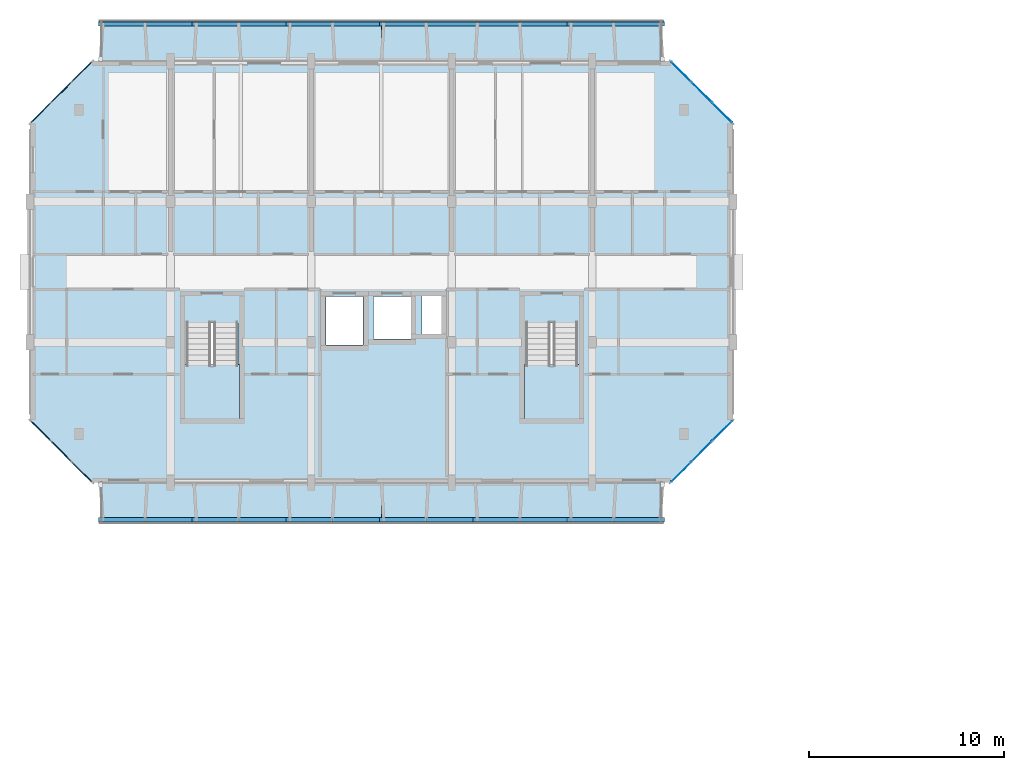
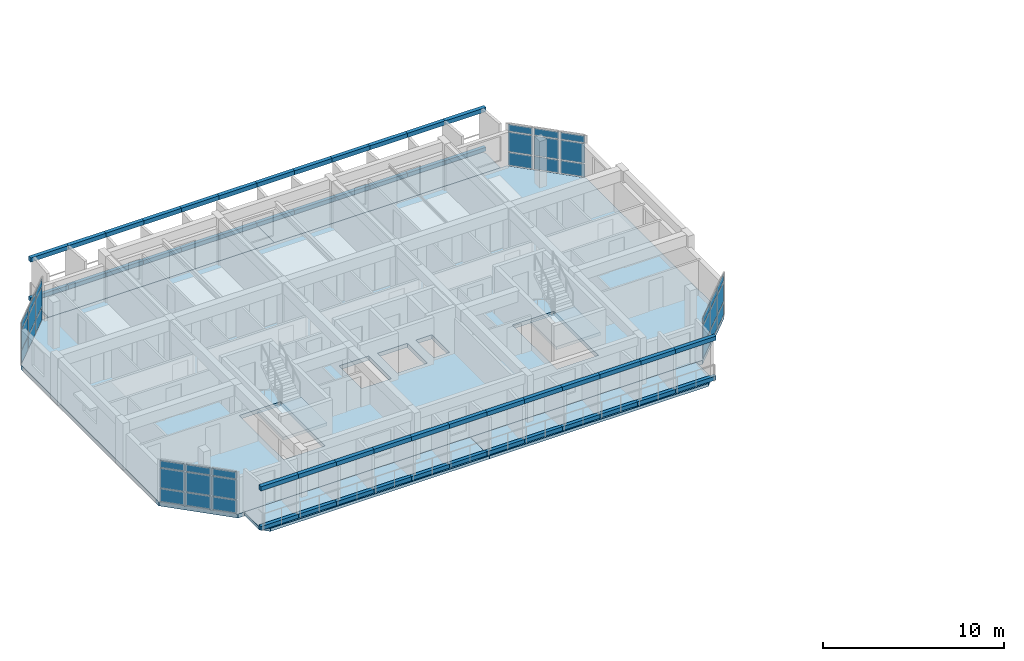
# One storey, part 12 of 45: 84 plates, 7 slabs, 6 elements without a shape of their own.
"""IFC4 building model written with IfcOpenShell, lengths in metres."""

from ifc_helpers import new_model, si_unit, direction, frame, origin, origin_2d, place, context, subcontext, project, spatial, polyline, rectangle, outline, extrude, material, layer, layer_set, type_object, element, aggregate, save


model = new_model("IFC4")

# Units and contexts
model_context = context("Model", 3, precision=1e-05, world=origin(), true_north=direction((0.0, 1.0)))
body_context = subcontext(model_context, "Body", "Model", "MODEL_VIEW")
ifc_project = project(units=[si_unit("LENGTHUNIT", "METRE"), si_unit("AREAUNIT", "SQUARE_METRE"), si_unit("VOLUMEUNIT", "CUBIC_METRE"), si_unit("PLANEANGLEUNIT", "RADIAN"), si_unit("MASSUNIT", "GRAM", prefix="KILO")], contexts=[model_context])

# Site, building, storey
site_placement = place(None, origin())
site = spatial("IfcSite", under=ifc_project, at=site_placement, CompositionType="ELEMENT")
building_placement = place(site_placement, origin())
building = spatial("IfcBuilding", under=site, at=building_placement, Name="Ochrevale Crest", CompositionType="ELEMENT")
storey_placement = place(building_placement, frame((0.0, 0.0, 18.14990234375)))
storey = spatial("IfcBuildingStorey", under=building, at=storey_placement, Name="L05", CompositionType="ELEMENT", Elevation=18.14990234375)

# Curtain wall, plates
ifc_material_1 = material(Name="Anodised aluminium 6063-T5", Category="aluminium")
ifc_layer_1 = layer(ifc_material_1, 0.14990234375)
ifc_layer_set_1 = layer_set([ifc_layer_1], Name="Anodised aluminium 6063-T5")
curtain_wall_type_1 = type_object("IfcCurtainWallType", Name="CW-WG-320x285", PredefinedType="NOTDEFINED", material=ifc_layer_set_1)
curtain_wall_1_placement = place(storey_placement, origin())
curtain_wall_1 = element("IfcCurtainWall", 1, at=curtain_wall_1_placement, inside=storey, type_object=curtain_wall_type_1, Name="Block B L05 chamfered corner wintergarden curtain wall 2", PredefinedType="NOTDEFINED")
ifc_material_2 = material(Name="Double-glazed low-E insulated glass unit", Category="glass")
ifc_layer_2 = layer(ifc_material_2, 0.028076171875)
ifc_layer_set_2 = layer_set([ifc_layer_2], Name="Double-glazed low-E insulated glass unit")
plate_type_1 = type_object("IfcPlateType", Name="CW-PNL-IGU28", PredefinedType="CURTAIN_PANEL", material=ifc_layer_set_2)
plate_1_placement = place(storey_placement, frame((33.3466796875, 72.546630859375, 0.06005859375), z_axis=(0.0, 0.0, 1.0), x_axis=(0.707106781187, 0.707106781187, 0.0)))
plate_1 = element("IfcPlate", 2, at=plate_1_placement, type_object=plate_type_1, Name="CW17 panel 1.1", PredefinedType="CURTAIN_PANEL", context=body_context, shape_type="SweptSolid", body=[
    extrude(rectangle(XDim=1.39599609375, YDim=0.028076171875, at=origin_2d()), origin(), (0.0, 0.0, 1.0), 0.860107421875),
])
plate_2_placement = place(storey_placement, frame((33.3466796875, 72.546630859375, 0.980224609375), z_axis=(0.0, 0.0, 1.0), x_axis=(0.707106781187, 0.707106781187, 0.0)))
plate_2 = element("IfcPlate", 3, at=plate_2_placement, type_object=plate_type_1, Name="CW17 panel 1.2", PredefinedType="CURTAIN_PANEL", context=body_context, shape_type="SweptSolid", body=[
    extrude(rectangle(XDim=1.39599609375, YDim=0.028076171875, at=origin_2d()), origin(), (0.0, 0.0, 1.0), 1.31494140625),
])
plate_3_placement = place(storey_placement, frame((33.3466796875, 72.546630859375, 2.355224609375), z_axis=(0.0, 0.0, 1.0), x_axis=(0.707106781187, 0.707106781187, 0.0)))
plate_3 = element("IfcPlate", 4, at=plate_3_placement, type_object=plate_type_1, Name="CW17 panel 1.3", PredefinedType="CURTAIN_PANEL", context=body_context, shape_type="SweptSolid", body=[
    extrude(rectangle(XDim=1.39599609375, YDim=0.028076171875, at=origin_2d()), origin(), (0.0, 0.0, 1.0), 0.4599609375),
])
plate_4_placement = place(storey_placement, frame((34.39990234375, 73.60009765625, 0.06005859375), z_axis=(0.0, 0.0, 1.0), x_axis=(0.707106781187, 0.707106781187, 0.0)))
plate_4 = element("IfcPlate", 5, at=plate_4_placement, type_object=plate_type_1, Name="CW17 panel 2.1", PredefinedType="CURTAIN_PANEL", context=body_context, shape_type="SweptSolid", body=[
    extrude(rectangle(XDim=1.43359375, YDim=0.028076171875, at=origin_2d()), origin(), (0.0, 0.0, 1.0), 0.860107421875),
])
plate_5_placement = place(storey_placement, frame((34.39990234375, 73.60009765625, 0.980224609375), z_axis=(0.0, 0.0, 1.0), x_axis=(0.707106781187, 0.707106781187, 0.0)))
plate_5 = element("IfcPlate", 6, at=plate_5_placement, type_object=plate_type_1, Name="CW17 panel 2.2", PredefinedType="CURTAIN_PANEL", context=body_context, shape_type="SweptSolid", body=[
    extrude(rectangle(XDim=1.43359375, YDim=0.028076171875, at=origin_2d()), origin(), (0.0, 0.0, 1.0), 1.31494140625),
])
plate_6_placement = place(storey_placement, frame((34.39990234375, 73.60009765625, 2.355224609375), z_axis=(0.0, 0.0, 1.0), x_axis=(0.707106781187, 0.707106781187, 0.0)))
plate_6 = element("IfcPlate", 7, at=plate_6_placement, type_object=plate_type_1, Name="CW17 panel 2.3", PredefinedType="CURTAIN_PANEL", context=body_context, shape_type="SweptSolid", body=[
    extrude(rectangle(XDim=1.43359375, YDim=0.028076171875, at=origin_2d()), origin(), (0.0, 0.0, 1.0), 0.4599609375),
])
plate_7_placement = place(storey_placement, frame((35.453369140625, 74.6533203125, 0.06005859375), z_axis=(0.0, 0.0, 1.0), x_axis=(0.707106781187, 0.707106781187, 0.0)))
plate_7 = element("IfcPlate", 8, at=plate_7_placement, type_object=plate_type_1, Name="CW17 panel 3.1", PredefinedType="CURTAIN_PANEL", context=body_context, shape_type="SweptSolid", body=[
    extrude(rectangle(XDim=1.39599609375, YDim=0.028076171875, at=origin_2d()), origin(), (0.0, 0.0, 1.0), 0.860107421875),
])
plate_8_placement = place(storey_placement, frame((35.453369140625, 74.6533203125, 0.980224609375), z_axis=(0.0, 0.0, 1.0), x_axis=(0.707106781187, 0.707106781187, 0.0)))
plate_8 = element("IfcPlate", 9, at=plate_8_placement, type_object=plate_type_1, Name="CW17 panel 3.2", PredefinedType="CURTAIN_PANEL", context=body_context, shape_type="SweptSolid", body=[
    extrude(rectangle(XDim=1.39599609375, YDim=0.028076171875, at=origin_2d()), origin(), (0.0, 0.0, 1.0), 1.31494140625),
])
plate_9_placement = place(storey_placement, frame((35.453369140625, 74.6533203125, 2.355224609375), z_axis=(0.0, 0.0, 1.0), x_axis=(0.707106781187, 0.707106781187, 0.0)))
plate_9 = element("IfcPlate", 10, at=plate_9_placement, type_object=plate_type_1, Name="CW17 panel 3.3", PredefinedType="CURTAIN_PANEL", context=body_context, shape_type="SweptSolid", body=[
    extrude(rectangle(XDim=1.39599609375, YDim=0.028076171875, at=origin_2d()), origin(), (0.0, 0.0, 1.0), 0.4599609375),
])
aggregate(curtain_wall_1, [plate_1, plate_2, plate_3, plate_4, plate_5, plate_6, plate_7, plate_8, plate_9])

ifc_layer_3 = layer(ifc_material_1, 0.14990234375)
ifc_layer_set_3 = layer_set([ifc_layer_3], Name="Anodised aluminium 6063-T5")
curtain_wall_type_2 = type_object("IfcCurtainWallType", Name="CW-WG-420x285", PredefinedType="NOTDEFINED", material=ifc_layer_set_3)
curtain_wall_2_placement = place(storey_placement, origin())
curtain_wall_2 = element("IfcCurtainWall", 11, at=curtain_wall_2_placement, inside=storey, type_object=curtain_wall_type_2, Name="Block B L05 chamfered corner wintergarden curtain wall 4", PredefinedType="NOTDEFINED")
plate_10_placement = place(storey_placement, frame((35.453369140625, 90.946533203125, 0.06005859375), z_axis=(0.0, 0.0, 1.0), x_axis=(-0.707106781187, 0.707106781187, 0.0)))
plate_10 = element("IfcPlate", 12, at=plate_10_placement, type_object=plate_type_1, Name="CW22 panel 1.1", PredefinedType="CURTAIN_PANEL", context=body_context, shape_type="SweptSolid", body=[
    extrude(rectangle(XDim=1.39599609375, YDim=0.028076171875, at=origin_2d()), origin(), (0.0, 0.0, 1.0), 0.860107421875),
])
plate_11_placement = place(storey_placement, frame((35.453369140625, 90.946533203125, 0.980224609375), z_axis=(0.0, 0.0, 1.0), x_axis=(-0.707106781187, 0.707106781187, 0.0)))
plate_11 = element("IfcPlate", 13, at=plate_11_placement, type_object=plate_type_1, Name="CW22 panel 1.2", PredefinedType="CURTAIN_PANEL", context=body_context, shape_type="SweptSolid", body=[
    extrude(rectangle(XDim=1.39599609375, YDim=0.028076171875, at=origin_2d()), origin(), (0.0, 0.0, 1.0), 1.31494140625),
])
plate_12_placement = place(storey_placement, frame((35.453369140625, 90.946533203125, 2.355224609375), z_axis=(0.0, 0.0, 1.0), x_axis=(-0.707106781187, 0.707106781187, 0.0)))
plate_12 = element("IfcPlate", 14, at=plate_12_placement, type_object=plate_type_1, Name="CW22 panel 1.3", PredefinedType="CURTAIN_PANEL", context=body_context, shape_type="SweptSolid", body=[
    extrude(rectangle(XDim=1.39599609375, YDim=0.028076171875, at=origin_2d()), origin(), (0.0, 0.0, 1.0), 0.4599609375),
])
plate_13_placement = place(storey_placement, frame((34.39990234375, 92.0, 0.06005859375), z_axis=(0.0, 0.0, 1.0), x_axis=(-0.707106781187, 0.707106781187, 0.0)))
plate_13 = element("IfcPlate", 15, at=plate_13_placement, type_object=plate_type_1, Name="CW22 panel 2.1", PredefinedType="CURTAIN_PANEL", context=body_context, shape_type="SweptSolid", body=[
    extrude(rectangle(XDim=1.43359375, YDim=0.028076171875, at=origin_2d()), origin(), (0.0, 0.0, 1.0), 0.860107421875),
])
plate_14_placement = place(storey_placement, frame((34.39990234375, 92.0, 0.980224609375), z_axis=(0.0, 0.0, 1.0), x_axis=(-0.707106781187, 0.707106781187, 0.0)))
plate_14 = element("IfcPlate", 16, at=plate_14_placement, type_object=plate_type_1, Name="CW22 panel 2.2", PredefinedType="CURTAIN_PANEL", context=body_context, shape_type="SweptSolid", body=[
    extrude(rectangle(XDim=1.43359375, YDim=0.028076171875, at=origin_2d()), origin(), (0.0, 0.0, 1.0), 1.31494140625),
])
plate_15_placement = place(storey_placement, frame((34.39990234375, 92.0, 2.355224609375), z_axis=(0.0, 0.0, 1.0), x_axis=(-0.707106781187, 0.707106781187, 0.0)))
plate_15 = element("IfcPlate", 17, at=plate_15_placement, type_object=plate_type_1, Name="CW22 panel 2.3", PredefinedType="CURTAIN_PANEL", context=body_context, shape_type="SweptSolid", body=[
    extrude(rectangle(XDim=1.43359375, YDim=0.028076171875, at=origin_2d()), origin(), (0.0, 0.0, 1.0), 0.4599609375),
])
plate_16_placement = place(storey_placement, frame((33.3466796875, 93.053466796875, 0.06005859375), z_axis=(0.0, 0.0, 1.0), x_axis=(-0.707106781187, 0.707106781187, 0.0)))
plate_16 = element("IfcPlate", 18, at=plate_16_placement, type_object=plate_type_1, Name="CW22 panel 3.1", PredefinedType="CURTAIN_PANEL", context=body_context, shape_type="SweptSolid", body=[
    extrude(rectangle(XDim=1.39599609375, YDim=0.028076171875, at=origin_2d()), origin(), (0.0, 0.0, 1.0), 0.860107421875),
])
plate_17_placement = place(storey_placement, frame((33.3466796875, 93.053466796875, 0.980224609375), z_axis=(0.0, 0.0, 1.0), x_axis=(-0.707106781187, 0.707106781187, 0.0)))
plate_17 = element("IfcPlate", 19, at=plate_17_placement, type_object=plate_type_1, Name="CW22 panel 3.2", PredefinedType="CURTAIN_PANEL", context=body_context, shape_type="SweptSolid", body=[
    extrude(rectangle(XDim=1.39599609375, YDim=0.028076171875, at=origin_2d()), origin(), (0.0, 0.0, 1.0), 1.31494140625),
])
plate_18_placement = place(storey_placement, frame((33.3466796875, 93.053466796875, 2.355224609375), z_axis=(0.0, 0.0, 1.0), x_axis=(-0.707106781187, 0.707106781187, 0.0)))
plate_18 = element("IfcPlate", 20, at=plate_18_placement, type_object=plate_type_1, Name="CW22 panel 3.3", PredefinedType="CURTAIN_PANEL", context=body_context, shape_type="SweptSolid", body=[
    extrude(rectangle(XDim=1.39599609375, YDim=0.028076171875, at=origin_2d()), origin(), (0.0, 0.0, 1.0), 0.4599609375),
])
aggregate(curtain_wall_2, [plate_10, plate_11, plate_12, plate_13, plate_14, plate_15, plate_16, plate_17, plate_18])

ifc_layer_4 = layer(ifc_material_1, 0.14990234375)
ifc_layer_set_4 = layer_set([ifc_layer_4], Name="Anodised aluminium 6063-T5")
curtain_wall_type_3 = type_object("IfcCurtainWallType", Name="CW-WG-280x285", PredefinedType="NOTDEFINED", material=ifc_layer_set_4)
curtain_wall_3_placement = place(storey_placement, origin())
curtain_wall_3 = element("IfcCurtainWall", 21, at=curtain_wall_3_placement, inside=storey, type_object=curtain_wall_type_3, Name="Block B L05 chamfered corner wintergarden curtain wall 6", PredefinedType="NOTDEFINED")
ifc_material_3 = material(Name="Acoustic laminated low-E insulated glass unit", Category="glass")
ifc_layer_5 = layer(ifc_material_3, 0.0380859375)
ifc_layer_set_5 = layer_set([ifc_layer_5], Name="Acoustic laminated low-E insulated glass unit")
plate_type_2 = type_object("IfcPlateType", Name="CW-PNL-IGU38", PredefinedType="CURTAIN_PANEL", material=ifc_layer_set_5)
plate_19_placement = place(storey_placement, frame((2.6533203125, 93.053466796875, 0.06005859375), z_axis=(0.0, 0.0, 1.0), x_axis=(-0.707106781187, -0.707106781187, 0.0)))
plate_19 = element("IfcPlate", 22, at=plate_19_placement, type_object=plate_type_2, Name="CW16 panel 1.1", PredefinedType="CURTAIN_PANEL", context=body_context, shape_type="SweptSolid", body=[
    extrude(rectangle(XDim=1.39599609375, YDim=0.0380859375, at=origin_2d()), origin(), (0.0, 0.0, 1.0), 0.860107421875),
])
plate_20_placement = place(storey_placement, frame((2.6533203125, 93.053466796875, 0.980224609375), z_axis=(0.0, 0.0, 1.0), x_axis=(-0.707106781187, -0.707106781187, 0.0)))
plate_20 = element("IfcPlate", 23, at=plate_20_placement, type_object=plate_type_2, Name="CW16 panel 1.2", PredefinedType="CURTAIN_PANEL", context=body_context, shape_type="SweptSolid", body=[
    extrude(rectangle(XDim=1.39599609375, YDim=0.0380859375, at=origin_2d()), origin(), (0.0, 0.0, 1.0), 1.31494140625),
])
plate_21_placement = place(storey_placement, frame((2.6533203125, 93.053466796875, 2.355224609375), z_axis=(0.0, 0.0, 1.0), x_axis=(-0.707106781187, -0.707106781187, 0.0)))
plate_21 = element("IfcPlate", 24, at=plate_21_placement, type_object=plate_type_2, Name="CW16 panel 1.3", PredefinedType="CURTAIN_PANEL", context=body_context, shape_type="SweptSolid", body=[
    extrude(rectangle(XDim=1.39599609375, YDim=0.0380859375, at=origin_2d()), origin(), (0.0, 0.0, 1.0), 0.4599609375),
])
plate_22_placement = place(storey_placement, frame((1.60009765625, 92.0, 0.06005859375), z_axis=(0.0, 0.0, 1.0), x_axis=(-0.707106781187, -0.707106781187, 0.0)))
plate_22 = element("IfcPlate", 25, at=plate_22_placement, type_object=plate_type_2, Name="CW16 panel 2.1", PredefinedType="CURTAIN_PANEL", context=body_context, shape_type="SweptSolid", body=[
    extrude(rectangle(XDim=1.43359375, YDim=0.0380859375, at=origin_2d()), origin(), (0.0, 0.0, 1.0), 0.860107421875),
])
plate_23_placement = place(storey_placement, frame((1.60009765625, 92.0, 0.980224609375), z_axis=(0.0, 0.0, 1.0), x_axis=(-0.707106781187, -0.707106781187, 0.0)))
plate_23 = element("IfcPlate", 26, at=plate_23_placement, type_object=plate_type_2, Name="CW16 panel 2.2", PredefinedType="CURTAIN_PANEL", context=body_context, shape_type="SweptSolid", body=[
    extrude(rectangle(XDim=1.43359375, YDim=0.0380859375, at=origin_2d()), origin(), (0.0, 0.0, 1.0), 1.31494140625),
])
plate_24_placement = place(storey_placement, frame((1.60009765625, 92.0, 2.355224609375), z_axis=(0.0, 0.0, 1.0), x_axis=(-0.707106781187, -0.707106781187, 0.0)))
plate_24 = element("IfcPlate", 27, at=plate_24_placement, type_object=plate_type_2, Name="CW16 panel 2.3", PredefinedType="CURTAIN_PANEL", context=body_context, shape_type="SweptSolid", body=[
    extrude(rectangle(XDim=1.43359375, YDim=0.0380859375, at=origin_2d()), origin(), (0.0, 0.0, 1.0), 0.4599609375),
])
plate_25_placement = place(storey_placement, frame((0.546630859375, 90.946533203125, 0.06005859375), z_axis=(0.0, 0.0, 1.0), x_axis=(-0.707106781187, -0.707106781187, 0.0)))
plate_25 = element("IfcPlate", 28, at=plate_25_placement, type_object=plate_type_2, Name="CW16 panel 3.1", PredefinedType="CURTAIN_PANEL", context=body_context, shape_type="SweptSolid", body=[
    extrude(rectangle(XDim=1.39599609375, YDim=0.0380859375, at=origin_2d()), origin(), (0.0, 0.0, 1.0), 0.860107421875),
])
plate_26_placement = place(storey_placement, frame((0.546630859375, 90.946533203125, 0.980224609375), z_axis=(0.0, 0.0, 1.0), x_axis=(-0.707106781187, -0.707106781187, 0.0)))
plate_26 = element("IfcPlate", 29, at=plate_26_placement, type_object=plate_type_2, Name="CW16 panel 3.2", PredefinedType="CURTAIN_PANEL", context=body_context, shape_type="SweptSolid", body=[
    extrude(rectangle(XDim=1.39599609375, YDim=0.0380859375, at=origin_2d()), origin(), (0.0, 0.0, 1.0), 1.31494140625),
])
plate_27_placement = place(storey_placement, frame((0.546630859375, 90.946533203125, 2.355224609375), z_axis=(0.0, 0.0, 1.0), x_axis=(-0.707106781187, -0.707106781187, 0.0)))
plate_27 = element("IfcPlate", 30, at=plate_27_placement, type_object=plate_type_2, Name="CW16 panel 3.3", PredefinedType="CURTAIN_PANEL", context=body_context, shape_type="SweptSolid", body=[
    extrude(rectangle(XDim=1.39599609375, YDim=0.0380859375, at=origin_2d()), origin(), (0.0, 0.0, 1.0), 0.4599609375),
])
aggregate(curtain_wall_3, [plate_19, plate_20, plate_21, plate_22, plate_23, plate_24, plate_25, plate_26, plate_27])

ifc_layer_6 = layer(ifc_material_1, 0.14990234375)
ifc_layer_set_6 = layer_set([ifc_layer_6], Name="Anodised aluminium 6063-T5")
curtain_wall_type_4 = type_object("IfcCurtainWallType", Name="CW-WG-360x285", PredefinedType="NOTDEFINED", material=ifc_layer_set_6)
curtain_wall_4_placement = place(storey_placement, origin())
curtain_wall_4 = element("IfcCurtainWall", 31, at=curtain_wall_4_placement, inside=storey, type_object=curtain_wall_type_4, Name="Block B L05 chamfered corner wintergarden curtain wall 8", PredefinedType="NOTDEFINED")
plate_28_placement = place(storey_placement, frame((0.546630859375, 74.6533203125, 0.06005859375), z_axis=(0.0, 0.0, 1.0), x_axis=(0.707106781187, -0.707106781187, 0.0)))
plate_28 = element("IfcPlate", 32, at=plate_28_placement, type_object=plate_type_2, Name="CW18 panel 1.1", PredefinedType="CURTAIN_PANEL", context=body_context, shape_type="SweptSolid", body=[
    extrude(rectangle(XDim=1.39599609375, YDim=0.0380859375, at=origin_2d()), origin(), (0.0, 0.0, 1.0), 0.860107421875),
])
plate_29_placement = place(storey_placement, frame((0.546630859375, 74.6533203125, 0.980224609375), z_axis=(0.0, 0.0, 1.0), x_axis=(0.707106781187, -0.707106781187, 0.0)))
plate_29 = element("IfcPlate", 33, at=plate_29_placement, type_object=plate_type_2, Name="CW18 panel 1.2", PredefinedType="CURTAIN_PANEL", context=body_context, shape_type="SweptSolid", body=[
    extrude(rectangle(XDim=1.39599609375, YDim=0.0380859375, at=origin_2d()), origin(), (0.0, 0.0, 1.0), 1.31494140625),
])
plate_30_placement = place(storey_placement, frame((0.546630859375, 74.6533203125, 2.355224609375), z_axis=(0.0, 0.0, 1.0), x_axis=(0.707106781187, -0.707106781187, 0.0)))
plate_30 = element("IfcPlate", 34, at=plate_30_placement, type_object=plate_type_2, Name="CW18 panel 1.3", PredefinedType="CURTAIN_PANEL", context=body_context, shape_type="SweptSolid", body=[
    extrude(rectangle(XDim=1.39599609375, YDim=0.0380859375, at=origin_2d()), origin(), (0.0, 0.0, 1.0), 0.4599609375),
])
plate_31_placement = place(storey_placement, frame((1.60009765625, 73.60009765625, 0.06005859375), z_axis=(0.0, 0.0, 1.0), x_axis=(0.707106781187, -0.707106781187, 0.0)))
plate_31 = element("IfcPlate", 35, at=plate_31_placement, type_object=plate_type_2, Name="CW18 panel 2.1", PredefinedType="CURTAIN_PANEL", context=body_context, shape_type="SweptSolid", body=[
    extrude(rectangle(XDim=1.43359375, YDim=0.0380859375, at=origin_2d()), origin(), (0.0, 0.0, 1.0), 0.860107421875),
])
plate_32_placement = place(storey_placement, frame((1.60009765625, 73.60009765625, 0.980224609375), z_axis=(0.0, 0.0, 1.0), x_axis=(0.707106781187, -0.707106781187, 0.0)))
plate_32 = element("IfcPlate", 36, at=plate_32_placement, type_object=plate_type_2, Name="CW18 panel 2.2", PredefinedType="CURTAIN_PANEL", context=body_context, shape_type="SweptSolid", body=[
    extrude(rectangle(XDim=1.43359375, YDim=0.0380859375, at=origin_2d()), origin(), (0.0, 0.0, 1.0), 1.31494140625),
])
plate_33_placement = place(storey_placement, frame((1.60009765625, 73.60009765625, 2.355224609375), z_axis=(0.0, 0.0, 1.0), x_axis=(0.707106781187, -0.707106781187, 0.0)))
plate_33 = element("IfcPlate", 37, at=plate_33_placement, type_object=plate_type_2, Name="CW18 panel 2.3", PredefinedType="CURTAIN_PANEL", context=body_context, shape_type="SweptSolid", body=[
    extrude(rectangle(XDim=1.43359375, YDim=0.0380859375, at=origin_2d()), origin(), (0.0, 0.0, 1.0), 0.4599609375),
])
plate_34_placement = place(storey_placement, frame((2.6533203125, 72.546630859375, 0.06005859375), z_axis=(0.0, 0.0, 1.0), x_axis=(0.707106781187, -0.707106781187, 0.0)))
plate_34 = element("IfcPlate", 38, at=plate_34_placement, type_object=plate_type_2, Name="CW18 panel 3.1", PredefinedType="CURTAIN_PANEL", context=body_context, shape_type="SweptSolid", body=[
    extrude(rectangle(XDim=1.39599609375, YDim=0.0380859375, at=origin_2d()), origin(), (0.0, 0.0, 1.0), 0.860107421875),
])
plate_35_placement = place(storey_placement, frame((2.6533203125, 72.546630859375, 0.980224609375), z_axis=(0.0, 0.0, 1.0), x_axis=(0.707106781187, -0.707106781187, 0.0)))
plate_35 = element("IfcPlate", 39, at=plate_35_placement, type_object=plate_type_2, Name="CW18 panel 3.2", PredefinedType="CURTAIN_PANEL", context=body_context, shape_type="SweptSolid", body=[
    extrude(rectangle(XDim=1.39599609375, YDim=0.0380859375, at=origin_2d()), origin(), (0.0, 0.0, 1.0), 1.31494140625),
])
plate_36_placement = place(storey_placement, frame((2.6533203125, 72.546630859375, 2.355224609375), z_axis=(0.0, 0.0, 1.0), x_axis=(0.707106781187, -0.707106781187, 0.0)))
plate_36 = element("IfcPlate", 40, at=plate_36_placement, type_object=plate_type_2, Name="CW18 panel 3.3", PredefinedType="CURTAIN_PANEL", context=body_context, shape_type="SweptSolid", body=[
    extrude(rectangle(XDim=1.39599609375, YDim=0.0380859375, at=origin_2d()), origin(), (0.0, 0.0, 1.0), 0.4599609375),
])
aggregate(curtain_wall_4, [plate_28, plate_29, plate_30, plate_31, plate_32, plate_33, plate_34, plate_35, plate_36])

# Plates
ifc_material_4 = material(Name="Precast concrete C40/50", Category="concrete")
ifc_layer_7 = layer(ifc_material_4, 0.06005859375)
ifc_layer_set_7 = layer_set([ifc_layer_7], Name="Precast concrete C40/50")
plate_type_3 = type_object("IfcPlateType", Name="PLT-HC-HEAD-60", PredefinedType="USERDEFINED", material=ifc_layer_set_7)
for number, where, z_axis, x_axis, name in (
    (41, (4.800048828125, 70.10009765625, 2.669921875), (0.0, 0.0, 1.0), (1.0, 0.0, 0.0), "Block B L05 S honeycomb arched lintel fascia 1"),
    (42, (7.199951171875, 70.10009765625, 2.669921875), (0.0, 0.0, 1.0), (1.0, 0.0, 0.0), "Block B L05 S honeycomb arched lintel fascia 2"),
    (43, (9.60009765625, 70.10009765625, 2.669921875), (0.0, 0.0, 1.0), (1.0, 0.0, 0.0), "Block B L05 S honeycomb arched lintel fascia 3"),
    (44, (12.0, 70.10009765625, 2.669921875), (0.0, 0.0, 1.0), (1.0, 0.0, 0.0), "Block B L05 S honeycomb arched lintel fascia 4"),
    (45, (14.39990234375, 70.10009765625, 2.669921875), (0.0, 0.0, 1.0), (1.0, 0.0, 0.0), "Block B L05 S honeycomb arched lintel fascia 5"),
    (46, (16.800048828125, 70.10009765625, 2.669921875), (0.0, 0.0, 1.0), (1.0, 0.0, 0.0), "Block B L05 S honeycomb arched lintel fascia 6"),
    (47, (19.199951171875, 70.10009765625, 2.669921875), (0.0, 0.0, 1.0), (1.0, 0.0, 0.0), "Block B L05 S honeycomb arched lintel fascia 7"),
    (48, (21.60009765625, 70.10009765625, 2.669921875), (0.0, 0.0, 1.0), (1.0, 0.0, 0.0), "Block B L05 S honeycomb arched lintel fascia 8"),
    (49, (24.0, 70.10009765625, 2.669921875), (0.0, 0.0, 1.0), (1.0, 0.0, 0.0), "Block B L05 S honeycomb arched lintel fascia 9"),
    (50, (26.39990234375, 70.10009765625, 2.669921875), (0.0, 0.0, 1.0), (1.0, 0.0, 0.0), "Block B L05 S honeycomb arched lintel fascia 10"),
    (51, (28.800048828125, 70.10009765625, 2.669921875), (0.0, 0.0, 1.0), (1.0, 0.0, 0.0), "Block B L05 S honeycomb arched lintel fascia 11"),
    (52, (31.199951171875, 70.10009765625, 2.669921875), (0.0, 0.0, 1.0), (1.0, 0.0, 0.0), "Block B L05 S honeycomb arched lintel fascia 12"),
    (53, (4.800048828125, 95.5, 2.669921875), (0.0, 0.0, 1.0), (1.0, 0.0, 0.0), "Block B L05 N honeycomb arched lintel fascia 1"),
    (54, (7.199951171875, 95.5, 2.669921875), (0.0, 0.0, 1.0), (1.0, 0.0, 0.0), "Block B L05 N honeycomb arched lintel fascia 2"),
    (55, (9.60009765625, 95.5, 2.669921875), (0.0, 0.0, 1.0), (1.0, 0.0, 0.0), "Block B L05 N honeycomb arched lintel fascia 3"),
    (56, (12.0, 95.5, 2.669921875), (0.0, 0.0, 1.0), (1.0, 0.0, 0.0), "Block B L05 N honeycomb arched lintel fascia 4"),
    (57, (14.39990234375, 95.5, 2.669921875), (0.0, 0.0, 1.0), (1.0, 0.0, 0.0), "Block B L05 N honeycomb arched lintel fascia 5"),
    (58, (16.800048828125, 95.5, 2.669921875), (0.0, 0.0, 1.0), (1.0, 0.0, 0.0), "Block B L05 N honeycomb arched lintel fascia 6"),
    (59, (19.199951171875, 95.5, 2.669921875), (0.0, 0.0, 1.0), (1.0, 0.0, 0.0), "Block B L05 N honeycomb arched lintel fascia 7"),
    (60, (21.60009765625, 95.5, 2.669921875), (0.0, 0.0, 1.0), (1.0, 0.0, 0.0), "Block B L05 N honeycomb arched lintel fascia 8"),
    (61, (24.0, 95.5, 2.669921875), (0.0, 0.0, 1.0), (1.0, 0.0, 0.0), "Block B L05 N honeycomb arched lintel fascia 9"),
    (62, (26.39990234375, 95.5, 2.669921875), (0.0, 0.0, 1.0), (1.0, 0.0, 0.0), "Block B L05 N honeycomb arched lintel fascia 10"),
    (63, (28.800048828125, 95.5, 2.669921875), (0.0, 0.0, 1.0), (1.0, 0.0, 0.0), "Block B L05 N honeycomb arched lintel fascia 11"),
    (64, (31.199951171875, 95.5, 2.669921875), (0.0, 0.0, 1.0), (1.0, 0.0, 0.0), "Block B L05 N honeycomb arched lintel fascia 12"),
):
    element("IfcPlate", number, at=place(storey_placement, frame(where, z_axis=z_axis, x_axis=x_axis)), inside=storey, type_object=plate_type_3, Name=name, ObjectType="FACADE FASCIA PLATE", PredefinedType="USERDEFINED", context=body_context, shape_type="SweptSolid", body=[
        extrude(rectangle(XDim=2.60009765625, YDim=0.239990234375, at=origin_2d()), origin(), (0.0, 0.0, 1.0), 0.280029296875),
    ])
ifc_layer_8 = layer(ifc_material_4, 0.044921875)
ifc_layer_set_8 = layer_set([ifc_layer_8], Name="Precast concrete C40/50")
plate_type_4 = type_object("IfcPlateType", Name="PLT-HC-SILL-45", PredefinedType="USERDEFINED", material=ifc_layer_set_8)
for number, where, z_axis, x_axis, name in (
    (65, (4.800048828125, 70.10009765625, 0.0), (0.0, 0.0, 1.0), (1.0, 0.0, 0.0), "Block B L05 S honeycomb sill coping plate 1"),
    (66, (7.199951171875, 70.10009765625, 0.0), (0.0, 0.0, 1.0), (1.0, 0.0, 0.0), "Block B L05 S honeycomb sill coping plate 2"),
    (67, (9.60009765625, 70.10009765625, 0.0), (0.0, 0.0, 1.0), (1.0, 0.0, 0.0), "Block B L05 S honeycomb sill coping plate 3"),
    (68, (12.0, 70.10009765625, 0.0), (0.0, 0.0, 1.0), (1.0, 0.0, 0.0), "Block B L05 S honeycomb sill coping plate 4"),
    (69, (14.39990234375, 70.10009765625, 0.0), (0.0, 0.0, 1.0), (1.0, 0.0, 0.0), "Block B L05 S honeycomb sill coping plate 5"),
    (70, (16.800048828125, 70.10009765625, 0.0), (0.0, 0.0, 1.0), (1.0, 0.0, 0.0), "Block B L05 S honeycomb sill coping plate 6"),
    (71, (19.199951171875, 70.10009765625, 0.0), (0.0, 0.0, 1.0), (1.0, 0.0, 0.0), "Block B L05 S honeycomb sill coping plate 7"),
    (72, (21.60009765625, 70.10009765625, 0.0), (0.0, 0.0, 1.0), (1.0, 0.0, 0.0), "Block B L05 S honeycomb sill coping plate 8"),
    (73, (24.0, 70.10009765625, 0.0), (0.0, 0.0, 1.0), (1.0, 0.0, 0.0), "Block B L05 S honeycomb sill coping plate 9"),
    (74, (26.39990234375, 70.10009765625, 0.0), (0.0, 0.0, 1.0), (1.0, 0.0, 0.0), "Block B L05 S honeycomb sill coping plate 10"),
    (75, (28.800048828125, 70.10009765625, 0.0), (0.0, 0.0, 1.0), (1.0, 0.0, 0.0), "Block B L05 S honeycomb sill coping plate 11"),
    (76, (31.199951171875, 70.10009765625, 0.0), (0.0, 0.0, 1.0), (1.0, 0.0, 0.0), "Block B L05 S honeycomb sill coping plate 12"),
    (77, (4.800048828125, 95.5, 0.0), (0.0, 0.0, 1.0), (1.0, 0.0, 0.0), "Block B L05 N honeycomb sill coping plate 1"),
    (78, (7.199951171875, 95.5, 0.0), (0.0, 0.0, 1.0), (1.0, 0.0, 0.0), "Block B L05 N honeycomb sill coping plate 2"),
    (79, (9.60009765625, 95.5, 0.0), (0.0, 0.0, 1.0), (1.0, 0.0, 0.0), "Block B L05 N honeycomb sill coping plate 3"),
    (80, (12.0, 95.5, 0.0), (0.0, 0.0, 1.0), (1.0, 0.0, 0.0), "Block B L05 N honeycomb sill coping plate 4"),
    (81, (14.39990234375, 95.5, 0.0), (0.0, 0.0, 1.0), (1.0, 0.0, 0.0), "Block B L05 N honeycomb sill coping plate 5"),
    (82, (16.800048828125, 95.5, 0.0), (0.0, 0.0, 1.0), (1.0, 0.0, 0.0), "Block B L05 N honeycomb sill coping plate 6"),
    (83, (19.199951171875, 95.5, 0.0), (0.0, 0.0, 1.0), (1.0, 0.0, 0.0), "Block B L05 N honeycomb sill coping plate 7"),
    (84, (21.60009765625, 95.5, 0.0), (0.0, 0.0, 1.0), (1.0, 0.0, 0.0), "Block B L05 N honeycomb sill coping plate 8"),
    (85, (24.0, 95.5, 0.0), (0.0, 0.0, 1.0), (1.0, 0.0, 0.0), "Block B L05 N honeycomb sill coping plate 9"),
    (86, (26.39990234375, 95.5, 0.0), (0.0, 0.0, 1.0), (1.0, 0.0, 0.0), "Block B L05 N honeycomb sill coping plate 10"),
    (87, (28.800048828125, 95.5, 0.0), (0.0, 0.0, 1.0), (1.0, 0.0, 0.0), "Block B L05 N honeycomb sill coping plate 11"),
    (88, (31.199951171875, 95.5, 0.0), (0.0, 0.0, 1.0), (1.0, 0.0, 0.0), "Block B L05 N honeycomb sill coping plate 12"),
):
    element("IfcPlate", number, at=place(storey_placement, frame(where, z_axis=z_axis, x_axis=x_axis)), inside=storey, type_object=plate_type_4, Name=name, ObjectType="SILL COPING PLATE", PredefinedType="USERDEFINED", context=body_context, shape_type="SweptSolid", body=[
        extrude(rectangle(XDim=2.60009765625, YDim=0.219970703125, at=origin_2d()), origin(), (0.0, 0.0, 1.0), 0.260009765625),
    ])

# Slabs
ifc_layer_9 = layer(ifc_material_4, 0.199951171875)
ifc_layer_set_9 = layer_set([ifc_layer_9], Name="Precast concrete C40/50")
slab_type_1 = type_object("IfcSlabType", Name="SLB-BAL-200", PredefinedType="FLOOR", material=ifc_layer_set_9)
slab_1_placement = place(storey_placement, frame((0.0, 0.0, -0.199951171875)))
element("IfcSlab", 89, at=slab_1_placement, inside=storey, type_object=slab_type_1, Name="Block B L05 S1 precast loggia balcony slab", PredefinedType="FLOOR", context=body_context, shape_type="SweptSolid", body=[
    extrude(outline(polyline([(4.050048828125, 69.89990234375), (18.0, 69.89990234375), (18.0, 72.0), (3.60009765625, 72.0), (3.60009765625, 70.35009765625), (4.050048828125, 69.89990234375)])), origin(), (0.0, 0.0, 1.0), 0.199951171875),
])
slab_2_placement = place(storey_placement, frame((0.0, 0.0, -0.199951171875)))
element("IfcSlab", 90, at=slab_2_placement, inside=storey, type_object=slab_type_1, Name="Block B L05 S2 precast loggia balcony slab", PredefinedType="FLOOR", context=body_context, shape_type="SweptSolid", body=[
    extrude(outline(polyline([(18.0, 69.89990234375), (31.949951171875, 69.89990234375), (32.39990234375, 70.35009765625), (32.39990234375, 72.0), (18.0, 72.0), (18.0, 69.89990234375)])), origin(), (0.0, 0.0, 1.0), 0.199951171875),
])
slab_3_placement = place(storey_placement, frame((0.0, 0.0, -0.199951171875)))
element("IfcSlab", 91, at=slab_3_placement, inside=storey, type_object=slab_type_1, Name="Block B L05 N1 precast loggia balcony slab", PredefinedType="FLOOR", context=body_context, shape_type="SweptSolid", body=[
    extrude(outline(polyline([(3.60009765625, 93.60009765625), (18.0, 93.60009765625), (18.0, 95.699951171875), (4.050048828125, 95.699951171875), (3.60009765625, 95.25), (3.60009765625, 93.60009765625)])), origin(), (0.0, 0.0, 1.0), 0.199951171875),
])
slab_4_placement = place(storey_placement, frame((0.0, 0.0, -0.199951171875)))
element("IfcSlab", 92, at=slab_4_placement, inside=storey, type_object=slab_type_1, Name="Block B L05 N2 precast loggia balcony slab", PredefinedType="FLOOR", context=body_context, shape_type="SweptSolid", body=[
    extrude(outline(polyline([(18.0, 93.60009765625), (32.39990234375, 93.60009765625), (32.39990234375, 95.25), (31.949951171875, 95.699951171875), (18.0, 95.699951171875), (18.0, 93.60009765625)])), origin(), (0.0, 0.0, 1.0), 0.199951171875),
])
ifc_layer_10 = layer(ifc_material_4, 0.27490234375)
ifc_layer_set_10 = layer_set([ifc_layer_10], Name="Precast concrete C40/50")
slab_type_2 = type_object("IfcSlabType", Name="SLB-RES-275", PredefinedType="FLOOR", material=ifc_layer_set_10)
slab_5_placement = place(storey_placement, frame((0.0, 0.0, -0.27490234375)))
element("IfcSlab", 93, at=slab_5_placement, inside=storey, type_object=slab_type_2, Name="Block B L05 composite hollowcore floor slab", PredefinedType="FLOOR", context=body_context, shape_type="SweptSolid", body=[
    extrude(outline(polyline([(3.199951171875, 72.0), (32.800048828125, 72.0), (36.0, 75.199951171875), (36.0, 90.39990234375), (32.800048828125, 93.60009765625), (3.199951171875, 93.60009765625), (0.0, 90.39990234375), (0.0, 75.199951171875), (3.199951171875, 72.0)]), holes=[polyline([(8.0, 80.175048828125), (8.0, 75.27490234375), (10.64990234375, 75.27490234375), (10.64990234375, 80.175048828125), (8.0, 80.175048828125)]), polyline([(25.39990234375, 80.175048828125), (25.39990234375, 75.27490234375), (28.050048828125, 75.27490234375), (28.050048828125, 80.175048828125), (25.39990234375, 80.175048828125)]), polyline([(15.14990234375, 79.050048828125), (17.050048828125, 79.050048828125), (17.050048828125, 81.550048828125), (15.14990234375, 81.550048828125), (15.14990234375, 79.050048828125)]), polyline([(17.60009765625, 79.35009765625), (19.5, 79.35009765625), (19.5, 81.550048828125), (17.60009765625, 81.550048828125), (17.60009765625, 79.35009765625)]), polyline([(20.070068359375, 79.6201171875), (21.080078125, 79.6201171875), (21.080078125, 81.580078125), (20.070068359375, 81.580078125), (20.070068359375, 79.6201171875)])]), origin(), (0.0, 0.0, 1.0), 0.27490234375),
])

# Stair, slab
stair_type = type_object("IfcStairType", Name="ST-CORE-DOG", PredefinedType="HALF_TURN_STAIR", material=ifc_material_4)
stair_1_placement = place(storey_placement, origin())
stair_1 = element("IfcStair", 94, at=stair_1_placement, inside=storey, type_object=stair_type, Name="L05 Block B Fire Stair 1", PredefinedType="HALF_TURN_STAIR")
ifc_layer_11 = layer(ifc_material_4, 0.199951171875)
ifc_layer_set_11 = layer_set([ifc_layer_11], Name="Precast concrete C40/50")
slab_type_3 = type_object("IfcSlabType", Name="SLB-ST-LAND", PredefinedType="LANDING", material=ifc_layer_set_11)
slab_6_placement = place(storey_placement, frame((0.0, 0.0, 1.375)))
slab_6 = element("IfcSlab", 95, at=slab_6_placement, type_object=slab_type_3, Name="ST-B1 landing 1", PredefinedType="LANDING", context=body_context, shape_type="SweptSolid", body=[
    extrude(outline(polyline([(7.919921875, 78.06494140625), (7.919921875, 75.195068359375), (10.72998046875, 75.195068359375), (10.72998046875, 78.06494140625), (7.919921875, 78.06494140625)])), origin(), (0.0, 0.0, 1.0), 0.2001953125),
])
aggregate(stair_1, [slab_6])

stair_2_placement = place(storey_placement, origin())
stair_2 = element("IfcStair", 96, at=stair_2_placement, inside=storey, type_object=stair_type, Name="L05 Block B Fire Stair 2", PredefinedType="HALF_TURN_STAIR")
slab_7_placement = place(storey_placement, frame((0.0, 0.0, 1.375)))
slab_7 = element("IfcSlab", 97, at=slab_7_placement, type_object=slab_type_3, Name="ST-B2 landing 1", PredefinedType="LANDING", context=body_context, shape_type="SweptSolid", body=[
    extrude(outline(polyline([(25.320068359375, 78.06494140625), (25.320068359375, 75.195068359375), (28.1298828125, 75.195068359375), (28.1298828125, 78.06494140625), (25.320068359375, 78.06494140625)])), origin(), (0.0, 0.0, 1.0), 0.2001953125),
])
aggregate(stair_2, [slab_7])

save(model, "model.ifc")
